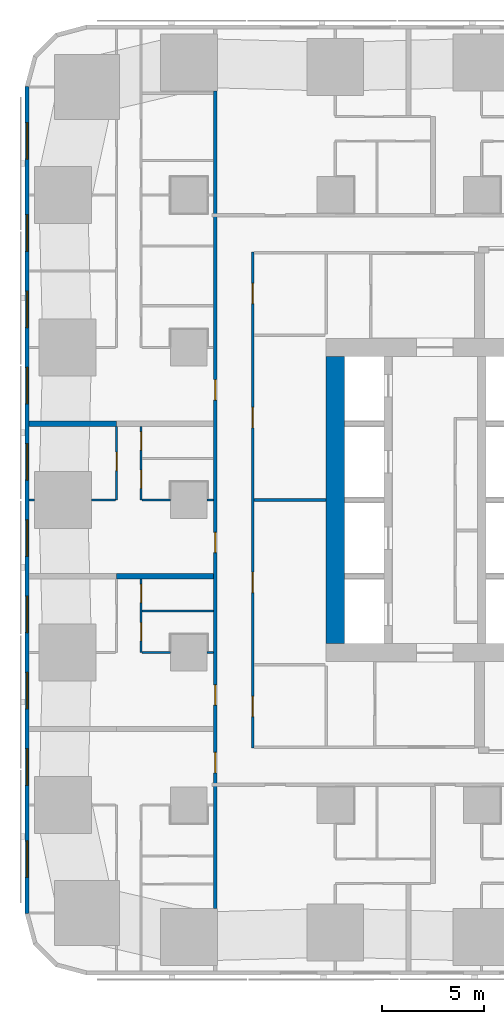
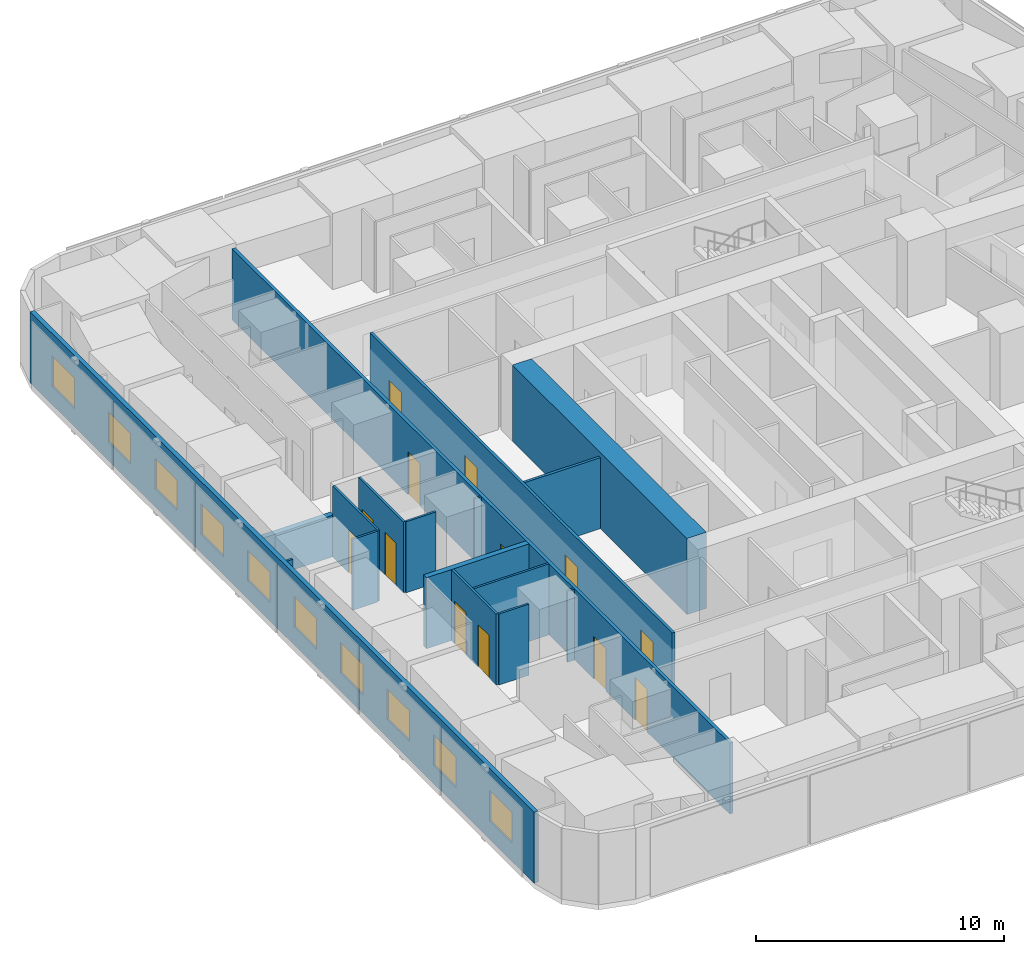
# One storey, part 4 of 15: 17 walls, 13 doors, 10 windows, 23 openings.
"""IFC4 building model written with IfcOpenShell, lengths in metres."""

from ifc_helpers import new_model, si_unit, direction, frame, frame_2d, origin, place, context, subcontext, project, spatial, rectangle, extrude, material, layer, layer_set, type_object, element, fill, save


model = new_model("IFC4")

# Units and contexts
model_context = context("Model", 3, precision=1e-05, world=origin(), true_north=direction((0.0, 1.0)))
body_context = subcontext(model_context, "Body", "Model", "MODEL_VIEW")
ifc_project = project(units=[si_unit("LENGTHUNIT", "METRE"), si_unit("AREAUNIT", "SQUARE_METRE"), si_unit("VOLUMEUNIT", "CUBIC_METRE"), si_unit("PLANEANGLEUNIT", "RADIAN"), si_unit("MASSUNIT", "GRAM", prefix="KILO")], contexts=[model_context])

# Site, building, storey
site_placement = place(None, origin())
site = spatial("IfcSite", under=ifc_project, at=site_placement, CompositionType="ELEMENT")
building_placement = place(site_placement, origin())
building = spatial("IfcBuilding", under=site, at=building_placement, Name="Sheger Commons Tower", CompositionType="ELEMENT")
storey_placement = place(building_placement, frame((0.0, 0.0, 65.0)))
storey = spatial("IfcBuildingStorey", under=building, at=storey_placement, Name="L16", CompositionType="ELEMENT", Elevation=65.0)

# Wall
ifc_material_1 = material(Name="Concrete C50/60", Category="concrete")
ifc_layer_1 = layer(ifc_material_1, 0.89990234375)
ifc_layer_set_1 = layer_set([ifc_layer_1], Name="CORE WALL 900")
wall_type_1 = type_object("IfcWallType", Name="CORE WALL 900", PredefinedType="SHEAR", material=ifc_layer_set_1)
wall_1_placement = place(storey_placement, frame((14.39990234375, 15.449951171875, 0.0), z_axis=(0.0, 0.0, 1.0), x_axis=(0.0, 1.0, 0.0)))
element("IfcWall", 1, at=wall_1_placement, inside=storey, type_object=wall_type_1, Name="Core wall west L16", PredefinedType="SHEAR", context=body_context, shape_type="SweptSolid", body=[
    extrude(rectangle(XDim=14.10009765625, YDim=0.89990234375, at=frame_2d((7.050048828125, 0.0))), origin(), (0.0, 0.0, 1.0), 3.75),
])

# Wall, openings, doors
ifc_material_2 = material(Name="Hollow concrete block masonry, skimmed both sides", Category="masonry")
ifc_layer_2 = layer(ifc_material_2, 0.14990234375)
ifc_layer_set_2 = layer_set([ifc_layer_2], Name="CORRIDOR WALL 150")
wall_type_2 = type_object("IfcWallType", Name="CORRIDOR WALL 150", PredefinedType="SOLIDWALL", material=ifc_layer_set_2)
wall_2_placement = place(storey_placement, frame((8.5, 2.426025390625, 0.0), z_axis=(0.0, 0.0, 1.0), x_axis=(0.0, 1.0, 0.0)))
wall_2 = element("IfcWall", 2, at=wall_2_placement, inside=storey, type_object=wall_type_2, Name="Corridor wall L16", PredefinedType="SOLIDWALL", context=body_context, shape_type="SweptSolid", body=[
    extrude(rectangle(XDim=40.173095703125, YDim=0.14990234375, at=frame_2d((20.08642578125, 0.0))), origin(), (0.0, 0.0, 1.0), 3.5),
])
opening_1_placement = place(wall_2_placement, frame((6.660888671875, 0.0, 0.0)))
opening_1 = element("IfcOpeningElement", 3, at=opening_1_placement, cuts=wall_2, Name="Opening D1", PredefinedType="OPENING", context=body_context, shape_type="SweptSolid", body=[
    extrude(rectangle(XDim=1.0, YDim=2.10009765625, at=frame_2d((0.5, 1.050048828125))), frame((0.0, 0.0849609375, 0.0), z_axis=(0.0, -1.0, 0.0), x_axis=(1.0, 0.0, 0.0)), (0.0, 0.0, 1.0), 0.169921875),
])
opening_2_placement = place(wall_2_placement, frame((9.986083984375, 0.0, 0.0)))
opening_2 = element("IfcOpeningElement", 4, at=opening_2_placement, cuts=wall_2, Name="Opening D1", PredefinedType="OPENING", context=body_context, shape_type="SweptSolid", body=[
    extrude(rectangle(XDim=1.0, YDim=2.10009765625, at=frame_2d((0.5, 1.050048828125))), frame((0.0, 0.0849609375, 0.0), z_axis=(0.0, -1.0, 0.0), x_axis=(1.0, 0.0, 0.0)), (0.0, 0.0, 1.0), 0.169921875),
])
opening_3_placement = place(wall_2_placement, frame((17.487060546875, 0.0, 0.0)))
opening_3 = element("IfcOpeningElement", 5, at=opening_3_placement, cuts=wall_2, Name="Opening D1", PredefinedType="OPENING", context=body_context, shape_type="SweptSolid", body=[
    extrude(rectangle(XDim=1.0, YDim=2.10009765625, at=frame_2d((0.5, 1.050048828125))), frame((0.0, 0.0849609375, 0.0), z_axis=(0.0, -1.0, 0.0), x_axis=(1.0, 0.0, 0.0)), (0.0, 0.0, 1.0), 0.169921875),
])
opening_4_placement = place(wall_2_placement, frame((24.987060546875, 0.0, 0.0)))
opening_4 = element("IfcOpeningElement", 6, at=opening_4_placement, cuts=wall_2, Name="Opening D1", PredefinedType="OPENING", context=body_context, shape_type="SweptSolid", body=[
    extrude(rectangle(XDim=1.0, YDim=2.10009765625, at=frame_2d((0.5, 1.050048828125))), frame((0.0, 0.0849609375, 0.0), z_axis=(0.0, -1.0, 0.0), x_axis=(1.0, 0.0, 0.0)), (0.0, 0.0, 1.0), 0.169921875),
])
ifc_material_3 = material(Name="Steel door set, fire rated", Category="steel")
door_type_1 = type_object("IfcDoorType", Name="FLAT ENTRANCE DOOR 1000x2100", OperationType="NOTDEFINED", PredefinedType="DOOR", material=ifc_material_3)
door_1_placement = place(opening_1_placement, origin())
door_1 = element("IfcDoor", 7, at=door_1_placement, inside=storey, type_object=door_type_1, Name="Flat entrance door", OperationType="SINGLE_SWING_RIGHT", OverallHeight=2.10009765625, OverallWidth=1.0, PredefinedType="DOOR", context=body_context, shape_type="SweptSolid", body=[
    extrude(rectangle(XDim=1.0, YDim=2.10009765625, at=frame_2d((0.5, 1.050048828125))), frame((0.0, 0.02490234375, 0.0), z_axis=(0.0, -1.0, 0.0), x_axis=(1.0, 0.0, 0.0)), (0.0, 0.0, 1.0), 0.050048828125),
])
fill(opening_1, door_1)
door_2_placement = place(opening_2_placement, origin())
door_2 = element("IfcDoor", 8, at=door_2_placement, inside=storey, type_object=door_type_1, Name="Flat entrance door", OperationType="SINGLE_SWING_LEFT", OverallHeight=2.10009765625, OverallWidth=1.0, PredefinedType="DOOR", context=body_context, shape_type="SweptSolid", body=[
    extrude(rectangle(XDim=1.0, YDim=2.10009765625, at=frame_2d((0.5, 1.050048828125))), frame((0.0, 0.02490234375, 0.0), z_axis=(0.0, -1.0, 0.0), x_axis=(1.0, 0.0, 0.0)), (0.0, 0.0, 1.0), 0.050048828125),
])
fill(opening_2, door_2)
door_3_placement = place(opening_3_placement, origin())
door_3 = element("IfcDoor", 9, at=door_3_placement, inside=storey, type_object=door_type_1, Name="Flat entrance door", OperationType="SINGLE_SWING_LEFT", OverallHeight=2.10009765625, OverallWidth=1.0, PredefinedType="DOOR", context=body_context, shape_type="SweptSolid", body=[
    extrude(rectangle(XDim=1.0, YDim=2.10009765625, at=frame_2d((0.5, 1.050048828125))), frame((0.0, 0.02490234375, 0.0), z_axis=(0.0, -1.0, 0.0), x_axis=(1.0, 0.0, 0.0)), (0.0, 0.0, 1.0), 0.050048828125),
])
fill(opening_3, door_3)
door_4_placement = place(opening_4_placement, origin())
door_4 = element("IfcDoor", 10, at=door_4_placement, inside=storey, type_object=door_type_1, Name="Flat entrance door", OperationType="SINGLE_SWING_LEFT", OverallHeight=2.10009765625, OverallWidth=1.0, PredefinedType="DOOR", context=body_context, shape_type="SweptSolid", body=[
    extrude(rectangle(XDim=1.0, YDim=2.10009765625, at=frame_2d((0.5, 1.050048828125))), frame((0.0, 0.02490234375, 0.0), z_axis=(0.0, -1.0, 0.0), x_axis=(1.0, 0.0, 0.0)), (0.0, 0.0, 1.0), 0.050048828125),
])
fill(opening_4, door_4)

# Walls
ifc_material_4 = material(Name="Dense concrete block masonry, plastered both sides (separating wall between flats)", Category="masonry")
ifc_layer_3 = layer(ifc_material_4, 0.25)
ifc_layer_set_3 = layer_set([ifc_layer_3], Name="DEMISING WALL 250")
wall_type_3 = type_object("IfcWallType", Name="DEMISING WALL 250", PredefinedType="SOLIDWALL", material=ifc_layer_set_3)
wall_3_placement = place(storey_placement, frame((3.64990234375, 18.75, 0.0), z_axis=(0.0, 0.0, 1.0), x_axis=(1.0, 0.0, 0.0)))
element("IfcWall", 11, at=wall_3_placement, inside=storey, type_object=wall_type_3, Name="Demising wall L16", PredefinedType="SOLIDWALL", context=body_context, shape_type="SweptSolid", body=[
    extrude(rectangle(XDim=4.775146484375, YDim=0.25, at=frame_2d((2.3876953125, 0.0))), origin(), (0.0, 0.0, 1.0), 3.5),
])
wall_4_placement = place(storey_placement, frame((-0.64990234375, 26.25, 0.0), z_axis=(0.0, 0.0, 1.0), x_axis=(1.0, 0.0, 0.0)))
element("IfcWall", 12, at=wall_4_placement, inside=storey, type_object=wall_type_3, Name="Demising wall L16", PredefinedType="SOLIDWALL", context=body_context, shape_type="SweptSolid", body=[
    extrude(rectangle(XDim=4.2998046875, YDim=0.25, at=frame_2d((2.14990234375, 0.0))), origin(), (0.0, 0.0, 1.0), 2.050048828125),
])

# Wall, openings, windows
ifc_material_5 = material(Name="Rendered concrete block masonry, dark grey", Category="masonry")
ifc_layer_4 = layer(ifc_material_5, 0.199951171875)
ifc_layer_set_4 = layer_set([ifc_layer_4], Name="FACADE WALL 200")
wall_type_4 = type_object("IfcWallType", Name="FACADE WALL 200", PredefinedType="SOLIDWALL", material=ifc_layer_set_4)
wall_5_placement = place(storey_placement, frame((-0.75, 42.8369140625, 0.0), z_axis=(0.0, 0.0, 1.0), x_axis=(0.0, -1.0, 0.0)))
wall_5 = element("IfcWall", 13, at=wall_5_placement, inside=storey, type_object=wall_type_4, Name="Facade wall L16", PredefinedType="SOLIDWALL", context=body_context, shape_type="SweptSolid", body=[
    extrude(rectangle(XDim=40.673828125, YDim=0.199951171875, at=frame_2d((20.3369140625, 0.0))), origin(), (0.0, 0.0, 1.0), 3.5),
])
opening_5_placement = place(wall_5_placement, frame((1.780029296875, 0.0, 0.89990234375)))
opening_5 = element("IfcOpeningElement", 14, at=opening_5_placement, cuts=wall_5, Name="Opening W2", PredefinedType="OPENING", context=body_context, shape_type="SweptSolid", body=[
    extrude(rectangle(XDim=1.800048828125, YDim=1.5, at=frame_2d((0.89990234375, 0.75))), frame((0.0, 0.10986328125, 0.0), z_axis=(0.0, -1.0, 0.0), x_axis=(1.0, 0.0, 0.0)), (0.0, 0.0, 1.0), 0.219970703125),
])
opening_6_placement = place(wall_5_placement, frame((6.31201171875, 0.0, 0.89990234375)))
opening_6 = element("IfcOpeningElement", 15, at=opening_6_placement, cuts=wall_5, Name="Opening W2", PredefinedType="OPENING", context=body_context, shape_type="SweptSolid", body=[
    extrude(rectangle(XDim=1.800048828125, YDim=1.5, at=frame_2d((0.89990234375, 0.75))), frame((0.0, 0.10986328125, 0.0), z_axis=(0.0, -1.0, 0.0), x_axis=(1.0, 0.0, 0.0)), (0.0, 0.0, 1.0), 0.219970703125),
])
opening_7_placement = place(wall_5_placement, frame((10.06201171875, 0.0, 0.89990234375)))
opening_7 = element("IfcOpeningElement", 16, at=opening_7_placement, cuts=wall_5, Name="Opening W2", PredefinedType="OPENING", context=body_context, shape_type="SweptSolid", body=[
    extrude(rectangle(XDim=1.800048828125, YDim=1.5, at=frame_2d((0.89990234375, 0.75))), frame((0.0, 0.10986328125, 0.0), z_axis=(0.0, -1.0, 0.0), x_axis=(1.0, 0.0, 0.0)), (0.0, 0.0, 1.0), 0.219970703125),
])
opening_8_placement = place(wall_5_placement, frame((13.81201171875, 0.0, 0.89990234375)))
opening_8 = element("IfcOpeningElement", 17, at=opening_8_placement, cuts=wall_5, Name="Opening W2", PredefinedType="OPENING", context=body_context, shape_type="SweptSolid", body=[
    extrude(rectangle(XDim=1.800048828125, YDim=1.5, at=frame_2d((0.89990234375, 0.75))), frame((0.0, 0.10986328125, 0.0), z_axis=(0.0, -1.0, 0.0), x_axis=(1.0, 0.0, 0.0)), (0.0, 0.0, 1.0), 0.219970703125),
])
opening_9_placement = place(wall_5_placement, frame((17.56201171875, 0.0, 0.89990234375)))
opening_9 = element("IfcOpeningElement", 18, at=opening_9_placement, cuts=wall_5, Name="Opening W2", PredefinedType="OPENING", context=body_context, shape_type="SweptSolid", body=[
    extrude(rectangle(XDim=1.800048828125, YDim=1.5, at=frame_2d((0.89990234375, 0.75))), frame((0.0, 0.10986328125, 0.0), z_axis=(0.0, -1.0, 0.0), x_axis=(1.0, 0.0, 0.0)), (0.0, 0.0, 1.0), 0.219970703125),
])
opening_10_placement = place(wall_5_placement, frame((21.31201171875, 0.0, 0.89990234375)))
opening_10 = element("IfcOpeningElement", 19, at=opening_10_placement, cuts=wall_5, Name="Opening W2", PredefinedType="OPENING", context=body_context, shape_type="SweptSolid", body=[
    extrude(rectangle(XDim=1.800048828125, YDim=1.5, at=frame_2d((0.89990234375, 0.75))), frame((0.0, 0.10986328125, 0.0), z_axis=(0.0, -1.0, 0.0), x_axis=(1.0, 0.0, 0.0)), (0.0, 0.0, 1.0), 0.219970703125),
])
opening_11_placement = place(wall_5_placement, frame((25.06201171875, 0.0, 0.89990234375)))
opening_11 = element("IfcOpeningElement", 20, at=opening_11_placement, cuts=wall_5, Name="Opening W2", PredefinedType="OPENING", context=body_context, shape_type="SweptSolid", body=[
    extrude(rectangle(XDim=1.800048828125, YDim=1.5, at=frame_2d((0.89990234375, 0.75))), frame((0.0, 0.10986328125, 0.0), z_axis=(0.0, -1.0, 0.0), x_axis=(1.0, 0.0, 0.0)), (0.0, 0.0, 1.0), 0.219970703125),
])
opening_12_placement = place(wall_5_placement, frame((28.81201171875, 0.0, 0.89990234375)))
opening_12 = element("IfcOpeningElement", 21, at=opening_12_placement, cuts=wall_5, Name="Opening W2", PredefinedType="OPENING", context=body_context, shape_type="SweptSolid", body=[
    extrude(rectangle(XDim=1.800048828125, YDim=1.5, at=frame_2d((0.89990234375, 0.75))), frame((0.0, 0.10986328125, 0.0), z_axis=(0.0, -1.0, 0.0), x_axis=(1.0, 0.0, 0.0)), (0.0, 0.0, 1.0), 0.219970703125),
])
opening_13_placement = place(wall_5_placement, frame((32.56201171875, 0.0, 0.89990234375)))
opening_13 = element("IfcOpeningElement", 22, at=opening_13_placement, cuts=wall_5, Name="Opening W2", PredefinedType="OPENING", context=body_context, shape_type="SweptSolid", body=[
    extrude(rectangle(XDim=1.800048828125, YDim=1.5, at=frame_2d((0.89990234375, 0.75))), frame((0.0, 0.10986328125, 0.0), z_axis=(0.0, -1.0, 0.0), x_axis=(1.0, 0.0, 0.0)), (0.0, 0.0, 1.0), 0.219970703125),
])
opening_14_placement = place(wall_5_placement, frame((37.093994140625, 0.0, 0.89990234375)))
opening_14 = element("IfcOpeningElement", 23, at=opening_14_placement, cuts=wall_5, Name="Opening W2", PredefinedType="OPENING", context=body_context, shape_type="SweptSolid", body=[
    extrude(rectangle(XDim=1.800048828125, YDim=1.5, at=frame_2d((0.89990234375, 0.75))), frame((0.0, 0.10986328125, 0.0), z_axis=(0.0, -1.0, 0.0), x_axis=(1.0, 0.0, 0.0)), (0.0, 0.0, 1.0), 0.219970703125),
])
ifc_material_6 = material(Name="Black aluminium frame, dark tinted double glazing", Category="aluminium")
window_type = type_object("IfcWindowType", Name="WINDOW W2 1800x1500", PartitioningType="SINGLE_PANEL", PredefinedType="WINDOW", material=ifc_material_6)
window_1_placement = place(opening_5_placement, origin())
window_1 = element("IfcWindow", 24, at=window_1_placement, inside=storey, type_object=window_type, Name="Window W2 1800X1500", OverallHeight=1.5, OverallWidth=1.800048828125, PartitioningType="SINGLE_PANEL", PredefinedType="WINDOW", context=body_context, shape_type="SweptSolid", body=[
    extrude(rectangle(XDim=1.800048828125, YDim=1.5, at=frame_2d((0.89990234375, 0.75))), frame((0.0, 0.030029296875, 0.0), z_axis=(0.0, -1.0, 0.0), x_axis=(1.0, 0.0, 0.0)), (0.0, 0.0, 1.0), 0.06005859375),
])
fill(opening_5, window_1)
window_2_placement = place(opening_6_placement, origin())
window_2 = element("IfcWindow", 25, at=window_2_placement, inside=storey, type_object=window_type, Name="Window W2 1800X1500", OverallHeight=1.5, OverallWidth=1.800048828125, PartitioningType="SINGLE_PANEL", PredefinedType="WINDOW", context=body_context, shape_type="SweptSolid", body=[
    extrude(rectangle(XDim=1.800048828125, YDim=1.5, at=frame_2d((0.89990234375, 0.75))), frame((0.0, 0.030029296875, 0.0), z_axis=(0.0, -1.0, 0.0), x_axis=(1.0, 0.0, 0.0)), (0.0, 0.0, 1.0), 0.06005859375),
])
fill(opening_6, window_2)
window_3_placement = place(opening_7_placement, origin())
window_3 = element("IfcWindow", 26, at=window_3_placement, inside=storey, type_object=window_type, Name="Window W2 1800X1500", OverallHeight=1.5, OverallWidth=1.800048828125, PartitioningType="SINGLE_PANEL", PredefinedType="WINDOW", context=body_context, shape_type="SweptSolid", body=[
    extrude(rectangle(XDim=1.800048828125, YDim=1.5, at=frame_2d((0.89990234375, 0.75))), frame((0.0, 0.030029296875, 0.0), z_axis=(0.0, -1.0, 0.0), x_axis=(1.0, 0.0, 0.0)), (0.0, 0.0, 1.0), 0.06005859375),
])
fill(opening_7, window_3)
window_4_placement = place(opening_8_placement, origin())
window_4 = element("IfcWindow", 27, at=window_4_placement, inside=storey, type_object=window_type, Name="Window W2 1800X1500", OverallHeight=1.5, OverallWidth=1.800048828125, PartitioningType="SINGLE_PANEL", PredefinedType="WINDOW", context=body_context, shape_type="SweptSolid", body=[
    extrude(rectangle(XDim=1.800048828125, YDim=1.5, at=frame_2d((0.89990234375, 0.75))), frame((0.0, 0.030029296875, 0.0), z_axis=(0.0, -1.0, 0.0), x_axis=(1.0, 0.0, 0.0)), (0.0, 0.0, 1.0), 0.06005859375),
])
fill(opening_8, window_4)
window_5_placement = place(opening_9_placement, origin())
window_5 = element("IfcWindow", 28, at=window_5_placement, inside=storey, type_object=window_type, Name="Window W2 1800X1500", OverallHeight=1.5, OverallWidth=1.800048828125, PartitioningType="SINGLE_PANEL", PredefinedType="WINDOW", context=body_context, shape_type="SweptSolid", body=[
    extrude(rectangle(XDim=1.800048828125, YDim=1.5, at=frame_2d((0.89990234375, 0.75))), frame((0.0, 0.030029296875, 0.0), z_axis=(0.0, -1.0, 0.0), x_axis=(1.0, 0.0, 0.0)), (0.0, 0.0, 1.0), 0.06005859375),
])
fill(opening_9, window_5)
window_6_placement = place(opening_10_placement, origin())
window_6 = element("IfcWindow", 29, at=window_6_placement, inside=storey, type_object=window_type, Name="Window W2 1800X1500", OverallHeight=1.5, OverallWidth=1.800048828125, PartitioningType="SINGLE_PANEL", PredefinedType="WINDOW", context=body_context, shape_type="SweptSolid", body=[
    extrude(rectangle(XDim=1.800048828125, YDim=1.5, at=frame_2d((0.89990234375, 0.75))), frame((0.0, 0.030029296875, 0.0), z_axis=(0.0, -1.0, 0.0), x_axis=(1.0, 0.0, 0.0)), (0.0, 0.0, 1.0), 0.06005859375),
])
fill(opening_10, window_6)
window_7_placement = place(opening_11_placement, origin())
window_7 = element("IfcWindow", 30, at=window_7_placement, inside=storey, type_object=window_type, Name="Window W2 1800X1500", OverallHeight=1.5, OverallWidth=1.800048828125, PartitioningType="SINGLE_PANEL", PredefinedType="WINDOW", context=body_context, shape_type="SweptSolid", body=[
    extrude(rectangle(XDim=1.800048828125, YDim=1.5, at=frame_2d((0.89990234375, 0.75))), frame((0.0, 0.030029296875, 0.0), z_axis=(0.0, -1.0, 0.0), x_axis=(1.0, 0.0, 0.0)), (0.0, 0.0, 1.0), 0.06005859375),
])
fill(opening_11, window_7)
window_8_placement = place(opening_12_placement, origin())
window_8 = element("IfcWindow", 31, at=window_8_placement, inside=storey, type_object=window_type, Name="Window W2 1800X1500", OverallHeight=1.5, OverallWidth=1.800048828125, PartitioningType="SINGLE_PANEL", PredefinedType="WINDOW", context=body_context, shape_type="SweptSolid", body=[
    extrude(rectangle(XDim=1.800048828125, YDim=1.5, at=frame_2d((0.89990234375, 0.75))), frame((0.0, 0.030029296875, 0.0), z_axis=(0.0, -1.0, 0.0), x_axis=(1.0, 0.0, 0.0)), (0.0, 0.0, 1.0), 0.06005859375),
])
fill(opening_12, window_8)
window_9_placement = place(opening_13_placement, origin())
window_9 = element("IfcWindow", 32, at=window_9_placement, inside=storey, type_object=window_type, Name="Window W2 1800X1500", OverallHeight=1.5, OverallWidth=1.800048828125, PartitioningType="SINGLE_PANEL", PredefinedType="WINDOW", context=body_context, shape_type="SweptSolid", body=[
    extrude(rectangle(XDim=1.800048828125, YDim=1.5, at=frame_2d((0.89990234375, 0.75))), frame((0.0, 0.030029296875, 0.0), z_axis=(0.0, -1.0, 0.0), x_axis=(1.0, 0.0, 0.0)), (0.0, 0.0, 1.0), 0.06005859375),
])
fill(opening_13, window_9)
window_10_placement = place(opening_14_placement, origin())
window_10 = element("IfcWindow", 33, at=window_10_placement, inside=storey, type_object=window_type, Name="Window W2 1800X1500", OverallHeight=1.5, OverallWidth=1.800048828125, PartitioningType="SINGLE_PANEL", PredefinedType="WINDOW", context=body_context, shape_type="SweptSolid", body=[
    extrude(rectangle(XDim=1.800048828125, YDim=1.5, at=frame_2d((0.89990234375, 0.75))), frame((0.0, 0.030029296875, 0.0), z_axis=(0.0, -1.0, 0.0), x_axis=(1.0, 0.0, 0.0)), (0.0, 0.0, 1.0), 0.06005859375),
])
fill(opening_14, window_10)

# Wall, openings, doors
ifc_material_7 = material(Name="Gypsum board on steel studs", Category="steel")
ifc_layer_5 = layer(ifc_material_7, 0.10009765625)
ifc_layer_set_5 = layer_set([ifc_layer_5], Name="PARTITION 100")
wall_type_5 = type_object("IfcWallType", Name="PARTITION 100", PredefinedType="PARTITIONING", material=ifc_layer_set_5)
wall_6_placement = place(storey_placement, frame((4.85009765625, 15.0, 0.0), z_axis=(0.0, 0.0, 1.0), x_axis=(0.0, 1.0, 0.0)))
wall_6 = element("IfcWall", 34, at=wall_6_placement, inside=storey, type_object=wall_type_5, Name="Partition L16", PredefinedType="PARTITIONING", context=body_context, shape_type="SweptSolid", body=[
    extrude(rectangle(XDim=3.625, YDim=0.10009765625, at=frame_2d((1.8125, 0.0))), origin(), (0.0, 0.0, 1.0), 3.5),
])
opening_15_placement = place(wall_6_placement, frame((0.574951171875, 0.0, 0.0)))
opening_15 = element("IfcOpeningElement", 35, at=opening_15_placement, cuts=wall_6, Name="Opening D2", PredefinedType="OPENING", context=body_context, shape_type="SweptSolid", body=[
    extrude(rectangle(XDim=0.89990234375, YDim=2.10009765625, at=frame_2d((0.449951171875, 1.050048828125))), frame((0.0, 0.06005859375, 0.0), z_axis=(0.0, -1.0, 0.0), x_axis=(1.0, 0.0, 0.0)), (0.0, 0.0, 1.0), 0.1201171875),
])
opening_16_placement = place(wall_6_placement, frame((2.449951171875, 0.0, 0.0)))
opening_16 = element("IfcOpeningElement", 36, at=opening_16_placement, cuts=wall_6, Name="Opening D2", PredefinedType="OPENING", context=body_context, shape_type="SweptSolid", body=[
    extrude(rectangle(XDim=0.89990234375, YDim=2.10009765625, at=frame_2d((0.449951171875, 1.050048828125))), frame((0.0, 0.06005859375, 0.0), z_axis=(0.0, -1.0, 0.0), x_axis=(1.0, 0.0, 0.0)), (0.0, 0.0, 1.0), 0.1201171875),
])
ifc_material_8 = material(Name="Timber door set", Category="wood")
door_type_2 = type_object("IfcDoorType", Name="INTERNAL DOOR 900x2100", OperationType="NOTDEFINED", PredefinedType="DOOR", material=ifc_material_8)
door_5_placement = place(opening_15_placement, origin())
door_5 = element("IfcDoor", 37, at=door_5_placement, inside=storey, type_object=door_type_2, Name="Bathroom door", OperationType="SINGLE_SWING_RIGHT", OverallHeight=2.10009765625, OverallWidth=0.89990234375, PredefinedType="DOOR", context=body_context, shape_type="SweptSolid", body=[
    extrude(rectangle(XDim=0.89990234375, YDim=2.10009765625, at=frame_2d((0.449951171875, 1.050048828125))), frame((0.0, 0.02490234375, 0.0), z_axis=(0.0, -1.0, 0.0), x_axis=(1.0, 0.0, 0.0)), (0.0, 0.0, 1.0), 0.050048828125),
])
fill(opening_15, door_5)
door_6_placement = place(opening_16_placement, origin())
door_6 = element("IfcDoor", 38, at=door_6_placement, inside=storey, type_object=door_type_2, Name="Store door", OperationType="SINGLE_SWING_LEFT", OverallHeight=2.10009765625, OverallWidth=0.89990234375, PredefinedType="DOOR", context=body_context, shape_type="SweptSolid", body=[
    extrude(rectangle(XDim=0.89990234375, YDim=2.10009765625, at=frame_2d((0.449951171875, 1.050048828125))), frame((0.0, 0.02490234375, 0.0), z_axis=(0.0, -1.0, 0.0), x_axis=(1.0, 0.0, 0.0)), (0.0, 0.0, 1.0), 0.050048828125),
])
fill(opening_16, door_6)

# Walls
wall_7_placement = place(storey_placement, frame((4.89990234375, 15.0, 0.0), z_axis=(0.0, 0.0, 1.0), x_axis=(1.0, 0.0, 0.0)))
element("IfcWall", 39, at=wall_7_placement, inside=storey, type_object=wall_type_5, Name="Partition L16", PredefinedType="PARTITIONING", context=body_context, shape_type="SweptSolid", body=[
    extrude(rectangle(XDim=1.399169921875, YDim=0.10009765625, at=frame_2d((0.69970703125, 0.0))), origin(), (0.0, 0.0, 1.0), 3.5),
])
wall_8_placement = place(storey_placement, frame((8.10107421875, 15.0, 0.0), z_axis=(0.0, 0.0, 1.0), x_axis=(1.0, 0.0, 0.0)))
element("IfcWall", 40, at=wall_8_placement, inside=storey, type_object=wall_type_5, Name="Partition L16", PredefinedType="PARTITIONING", context=body_context, shape_type="SweptSolid", body=[
    extrude(rectangle(XDim=0.323974609375, YDim=0.10009765625, at=frame_2d((0.162109375, 0.0))), origin(), (0.0, 0.0, 1.0), 3.5),
])
wall_9_placement = place(storey_placement, frame((4.89990234375, 17.050048828125, 0.0), z_axis=(0.0, 0.0, 1.0), x_axis=(1.0, 0.0, 0.0)))
element("IfcWall", 41, at=wall_9_placement, inside=storey, type_object=wall_type_5, Name="Partition L16", PredefinedType="PARTITIONING", context=body_context, shape_type="SweptSolid", body=[
    extrude(rectangle(XDim=3.525146484375, YDim=0.10009765625, at=frame_2d((1.7626953125, 0.0))), origin(), (0.0, 0.0, 1.0), 3.5),
])

# Wall, opening, door
wall_10_placement = place(storey_placement, frame((3.64990234375, 22.5, 0.0), z_axis=(0.0, 0.0, 1.0), x_axis=(0.0, 1.0, 0.0)))
wall_10 = element("IfcWall", 42, at=wall_10_placement, inside=storey, type_object=wall_type_5, Name="Partition L16", PredefinedType="PARTITIONING", context=body_context, shape_type="SweptSolid", body=[
    extrude(rectangle(XDim=3.625, YDim=0.10009765625, at=frame_2d((1.8125, 0.0))), origin(), (0.0, 0.0, 1.0), 3.5),
])
opening_17_placement = place(wall_10_placement, frame((1.449951171875, 0.0, 0.0)))
opening_17 = element("IfcOpeningElement", 43, at=opening_17_placement, cuts=wall_10, Name="Opening D2", PredefinedType="OPENING", context=body_context, shape_type="SweptSolid", body=[
    extrude(rectangle(XDim=0.89990234375, YDim=2.10009765625, at=frame_2d((0.449951171875, 1.050048828125))), frame((0.0, 0.06005859375, 0.0), z_axis=(0.0, -1.0, 0.0), x_axis=(1.0, 0.0, 0.0)), (0.0, 0.0, 1.0), 0.1201171875),
])
door_7_placement = place(opening_17_placement, origin())
door_7 = element("IfcDoor", 44, at=door_7_placement, inside=storey, type_object=door_type_2, Name="Main bedroom door", OperationType="SINGLE_SWING_RIGHT", OverallHeight=2.10009765625, OverallWidth=0.89990234375, PredefinedType="DOOR", context=body_context, shape_type="SweptSolid", body=[
    extrude(rectangle(XDim=0.89990234375, YDim=2.10009765625, at=frame_2d((0.449951171875, 1.050048828125))), frame((0.0, 0.02490234375, 0.0), z_axis=(0.0, -1.0, 0.0), x_axis=(1.0, 0.0, 0.0)), (0.0, 0.0, 1.0), 0.050048828125),
])
fill(opening_17, door_7)

# Wall, openings, doors
wall_11_placement = place(storey_placement, frame((4.85009765625, 22.5, 0.0), z_axis=(0.0, 0.0, 1.0), x_axis=(0.0, 1.0, 0.0)))
wall_11 = element("IfcWall", 45, at=wall_11_placement, inside=storey, type_object=wall_type_5, Name="Partition L16", PredefinedType="PARTITIONING", context=body_context, shape_type="SweptSolid", body=[
    extrude(rectangle(XDim=3.625, YDim=0.10009765625, at=frame_2d((1.8125, 0.0))), origin(), (0.0, 0.0, 1.0), 3.5),
])
opening_18_placement = place(wall_11_placement, frame((0.574951171875, 0.0, 0.0)))
opening_18 = element("IfcOpeningElement", 46, at=opening_18_placement, cuts=wall_11, Name="Opening D2", PredefinedType="OPENING", context=body_context, shape_type="SweptSolid", body=[
    extrude(rectangle(XDim=0.89990234375, YDim=2.10009765625, at=frame_2d((0.449951171875, 1.050048828125))), frame((0.0, 0.06005859375, 0.0), z_axis=(0.0, -1.0, 0.0), x_axis=(1.0, 0.0, 0.0)), (0.0, 0.0, 1.0), 0.1201171875),
])
opening_19_placement = place(wall_11_placement, frame((2.449951171875, 0.0, 0.0)))
opening_19 = element("IfcOpeningElement", 47, at=opening_19_placement, cuts=wall_11, Name="Opening D2", PredefinedType="OPENING", context=body_context, shape_type="SweptSolid", body=[
    extrude(rectangle(XDim=0.89990234375, YDim=2.10009765625, at=frame_2d((0.449951171875, 1.050048828125))), frame((0.0, 0.06005859375, 0.0), z_axis=(0.0, -1.0, 0.0), x_axis=(1.0, 0.0, 0.0)), (0.0, 0.0, 1.0), 0.1201171875),
])
door_8_placement = place(opening_18_placement, origin())
door_8 = element("IfcDoor", 48, at=door_8_placement, inside=storey, type_object=door_type_2, Name="Bathroom door", OperationType="SINGLE_SWING_RIGHT", OverallHeight=2.10009765625, OverallWidth=0.89990234375, PredefinedType="DOOR", context=body_context, shape_type="SweptSolid", body=[
    extrude(rectangle(XDim=0.89990234375, YDim=2.10009765625, at=frame_2d((0.449951171875, 1.050048828125))), frame((0.0, 0.02490234375, 0.0), z_axis=(0.0, -1.0, 0.0), x_axis=(1.0, 0.0, 0.0)), (0.0, 0.0, 1.0), 0.050048828125),
])
fill(opening_18, door_8)
door_9_placement = place(opening_19_placement, origin())
door_9 = element("IfcDoor", 49, at=door_9_placement, inside=storey, type_object=door_type_2, Name="Store door", OperationType="SINGLE_SWING_LEFT", OverallHeight=2.10009765625, OverallWidth=0.89990234375, PredefinedType="DOOR", context=body_context, shape_type="SweptSolid", body=[
    extrude(rectangle(XDim=0.89990234375, YDim=2.10009765625, at=frame_2d((0.449951171875, 1.050048828125))), frame((0.0, 0.02490234375, 0.0), z_axis=(0.0, -1.0, 0.0), x_axis=(1.0, 0.0, 0.0)), (0.0, 0.0, 1.0), 0.050048828125),
])
fill(opening_19, door_9)

# Walls
wall_12_placement = place(storey_placement, frame((-0.64990234375, 22.5, 0.0), z_axis=(0.0, 0.0, 1.0), x_axis=(1.0, 0.0, 0.0)))
element("IfcWall", 50, at=wall_12_placement, inside=storey, type_object=wall_type_5, Name="Partition L16", PredefinedType="PARTITIONING", context=body_context, shape_type="SweptSolid", body=[
    extrude(rectangle(XDim=0.27392578125, YDim=0.10009765625, at=frame_2d((0.136962890625, 0.0))), origin(), (0.0, 0.0, 1.0), 3.5),
])
wall_13_placement = place(storey_placement, frame((2.426025390625, 22.5, 0.0), z_axis=(0.0, 0.0, 1.0), x_axis=(1.0, 0.0, 0.0)))
element("IfcWall", 51, at=wall_13_placement, inside=storey, type_object=wall_type_5, Name="Partition L16", PredefinedType="PARTITIONING", context=body_context, shape_type="SweptSolid", body=[
    extrude(rectangle(XDim=1.174072265625, YDim=0.10009765625, at=frame_2d((0.5869140625, 0.0))), origin(), (0.0, 0.0, 1.0), 3.5),
])
wall_14_placement = place(storey_placement, frame((4.89990234375, 22.5, 0.0), z_axis=(0.0, 0.0, 1.0), x_axis=(1.0, 0.0, 0.0)))
element("IfcWall", 52, at=wall_14_placement, inside=storey, type_object=wall_type_5, Name="Partition L16", PredefinedType="PARTITIONING", context=body_context, shape_type="SweptSolid", body=[
    extrude(rectangle(XDim=1.399169921875, YDim=0.10009765625, at=frame_2d((0.69970703125, 0.0))), origin(), (0.0, 0.0, 1.0), 3.5),
])
wall_15_placement = place(storey_placement, frame((8.10107421875, 22.5, 0.0), z_axis=(0.0, 0.0, 1.0), x_axis=(1.0, 0.0, 0.0)))
element("IfcWall", 53, at=wall_15_placement, inside=storey, type_object=wall_type_5, Name="Partition L16", PredefinedType="PARTITIONING", context=body_context, shape_type="SweptSolid", body=[
    extrude(rectangle(XDim=0.323974609375, YDim=0.10009765625, at=frame_2d((0.162109375, 0.0))), origin(), (0.0, 0.0, 1.0), 3.5),
])

# Wall, openings, doors
ifc_material_9 = material(Name="Gypsum board on steel studs, two layers each side, fire rated", Category="steel")
ifc_layer_6 = layer(ifc_material_9, 0.125)
ifc_layer_set_6 = layer_set([ifc_layer_6], Name="SERVICE WALL 125")
wall_type_6 = type_object("IfcWallType", Name="SERVICE WALL 125", PredefinedType="PARTITIONING", material=ifc_layer_set_6)
wall_16_placement = place(storey_placement, frame((10.35009765625, 10.300048828125, 0.0), z_axis=(0.0, 0.0, 1.0), x_axis=(0.0, 1.0, 0.0)))
wall_16 = element("IfcWall", 54, at=wall_16_placement, inside=storey, type_object=wall_type_6, Name="Service room wall L16", PredefinedType="PARTITIONING", context=body_context, shape_type="SweptSolid", body=[
    extrude(rectangle(XDim=24.39990234375, YDim=0.125, at=frame_2d((12.199951171875, 0.0))), origin(), (0.0, 0.0, 1.0), 3.5),
])
opening_20_placement = place(wall_16_placement, frame((1.550048828125, 0.0, 0.0)))
opening_20 = element("IfcOpeningElement", 55, at=opening_20_placement, cuts=wall_16, Name="Opening D4", PredefinedType="OPENING", context=body_context, shape_type="SweptSolid", body=[
    extrude(rectangle(XDim=1.0, YDim=2.10009765625, at=frame_2d((0.5, 1.050048828125))), frame((0.0, 0.072509765625, 0.0), z_axis=(0.0, -1.0, 0.0), x_axis=(1.0, 0.0, 0.0)), (0.0, 0.0, 1.0), 0.14501953125),
])
opening_21_placement = place(wall_16_placement, frame((7.64990234375, 0.0, 0.0)))
opening_21 = element("IfcOpeningElement", 56, at=opening_21_placement, cuts=wall_16, Name="Opening D4", PredefinedType="OPENING", context=body_context, shape_type="SweptSolid", body=[
    extrude(rectangle(XDim=1.0, YDim=2.10009765625, at=frame_2d((0.5, 1.050048828125))), frame((0.0, 0.072509765625, 0.0), z_axis=(0.0, -1.0, 0.0), x_axis=(1.0, 0.0, 0.0)), (0.0, 0.0, 1.0), 0.14501953125),
])
opening_22_placement = place(wall_16_placement, frame((15.75, 0.0, 0.0)))
opening_22 = element("IfcOpeningElement", 57, at=opening_22_placement, cuts=wall_16, Name="Opening D4", PredefinedType="OPENING", context=body_context, shape_type="SweptSolid", body=[
    extrude(rectangle(XDim=1.0, YDim=2.10009765625, at=frame_2d((0.5, 1.050048828125))), frame((0.0, 0.072509765625, 0.0), z_axis=(0.0, -1.0, 0.0), x_axis=(1.0, 0.0, 0.0)), (0.0, 0.0, 1.0), 0.14501953125),
])
opening_23_placement = place(wall_16_placement, frame((21.85009765625, 0.0, 0.0)))
opening_23 = element("IfcOpeningElement", 58, at=opening_23_placement, cuts=wall_16, Name="Opening D4", PredefinedType="OPENING", context=body_context, shape_type="SweptSolid", body=[
    extrude(rectangle(XDim=1.0, YDim=2.10009765625, at=frame_2d((0.5, 1.050048828125))), frame((0.0, 0.072509765625, 0.0), z_axis=(0.0, -1.0, 0.0), x_axis=(1.0, 0.0, 0.0)), (0.0, 0.0, 1.0), 0.14501953125),
])
ifc_material_10 = material(Name="Steel door set, fire rated", Category="steel")
door_type_3 = type_object("IfcDoorType", Name="SERVICE DOOR 1000x2100", OperationType="NOTDEFINED", PredefinedType="DOOR", material=ifc_material_10)
door_10_placement = place(opening_20_placement, origin())
door_10 = element("IfcDoor", 59, at=door_10_placement, inside=storey, type_object=door_type_3, Name="Refuse chute room door", OperationType="SINGLE_SWING_RIGHT", OverallHeight=2.10009765625, OverallWidth=1.0, PredefinedType="DOOR", context=body_context, shape_type="SweptSolid", body=[
    extrude(rectangle(XDim=1.0, YDim=2.10009765625, at=frame_2d((0.5, 1.050048828125))), frame((0.0, 0.02490234375, 0.0), z_axis=(0.0, -1.0, 0.0), x_axis=(1.0, 0.0, 0.0)), (0.0, 0.0, 1.0), 0.050048828125),
])
fill(opening_20, door_10)
door_11_placement = place(opening_21_placement, origin())
door_11 = element("IfcDoor", 60, at=door_11_placement, inside=storey, type_object=door_type_3, Name="Laundry and drying room door", OperationType="SINGLE_SWING_RIGHT", OverallHeight=2.10009765625, OverallWidth=1.0, PredefinedType="DOOR", context=body_context, shape_type="SweptSolid", body=[
    extrude(rectangle(XDim=1.0, YDim=2.10009765625, at=frame_2d((0.5, 1.050048828125))), frame((0.0, 0.02490234375, 0.0), z_axis=(0.0, -1.0, 0.0), x_axis=(1.0, 0.0, 0.0)), (0.0, 0.0, 1.0), 0.050048828125),
])
fill(opening_21, door_11)
door_12_placement = place(opening_22_placement, origin())
door_12 = element("IfcDoor", 61, at=door_12_placement, inside=storey, type_object=door_type_3, Name="Residents' store door", OperationType="SINGLE_SWING_RIGHT", OverallHeight=2.10009765625, OverallWidth=1.0, PredefinedType="DOOR", context=body_context, shape_type="SweptSolid", body=[
    extrude(rectangle(XDim=1.0, YDim=2.10009765625, at=frame_2d((0.5, 1.050048828125))), frame((0.0, 0.02490234375, 0.0), z_axis=(0.0, -1.0, 0.0), x_axis=(1.0, 0.0, 0.0)), (0.0, 0.0, 1.0), 0.050048828125),
])
fill(opening_22, door_12)
door_13_placement = place(opening_23_placement, origin())
door_13 = element("IfcDoor", 62, at=door_13_placement, inside=storey, type_object=door_type_3, Name="Cleaner's store door", OperationType="SINGLE_SWING_LEFT", OverallHeight=2.10009765625, OverallWidth=1.0, PredefinedType="DOOR", context=body_context, shape_type="SweptSolid", body=[
    extrude(rectangle(XDim=1.0, YDim=2.10009765625, at=frame_2d((0.5, 1.050048828125))), frame((0.0, 0.02490234375, 0.0), z_axis=(0.0, -1.0, 0.0), x_axis=(1.0, 0.0, 0.0)), (0.0, 0.0, 1.0), 0.050048828125),
])
fill(opening_23, door_13)

# Wall
wall_17_placement = place(storey_placement, frame((10.4130859375, 22.5, 0.0), z_axis=(0.0, 0.0, 1.0), x_axis=(1.0, 0.0, 0.0)))
element("IfcWall", 63, at=wall_17_placement, inside=storey, type_object=wall_type_6, Name="Service room wall L16", PredefinedType="PARTITIONING", context=body_context, shape_type="SweptSolid", body=[
    extrude(rectangle(XDim=3.536865234375, YDim=0.125, at=frame_2d((1.7685546875, 0.0))), origin(), (0.0, 0.0, 1.0), 3.5),
])

save(model, "model.ifc")
